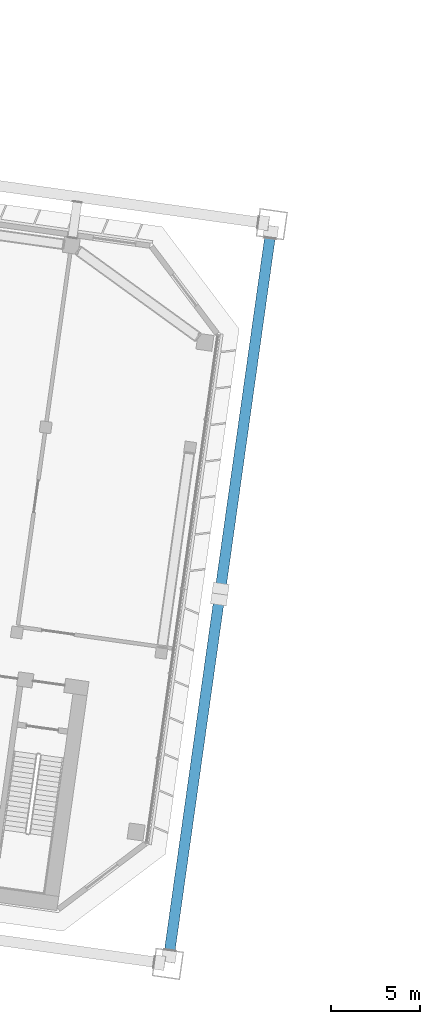
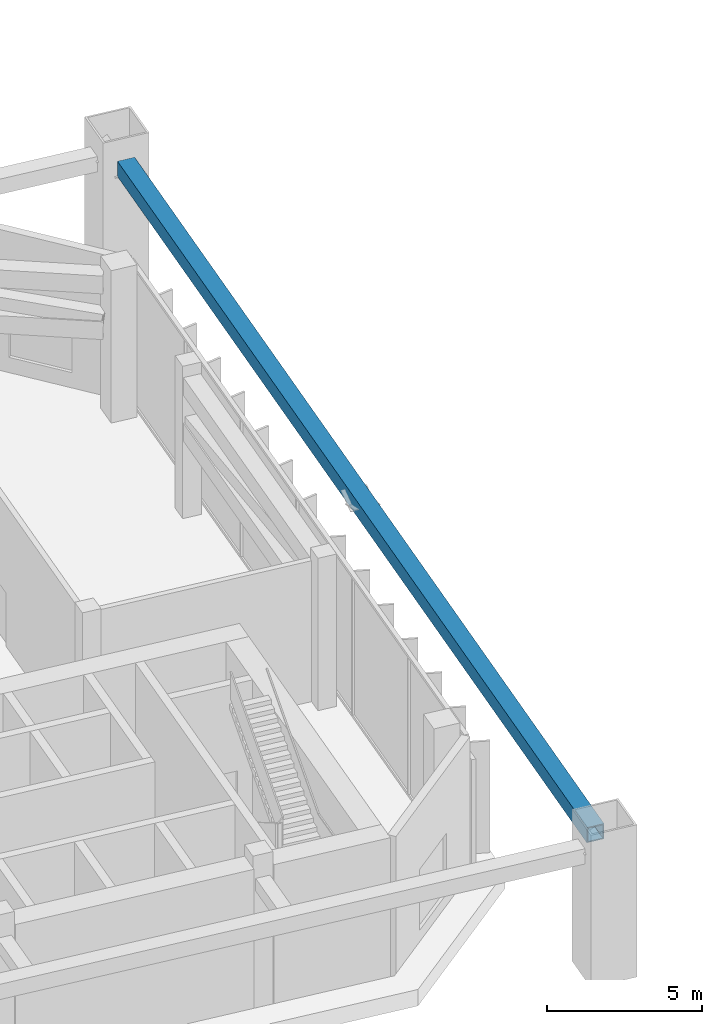
# One storey, part 8 of 41: 1 member.
"""IFC4 building model written with IfcOpenShell, lengths in metres."""

from ifc_helpers import new_model, si_unit, direction, frame, origin, origin_2d, place, context, subcontext, project, spatial, hollow_rectangle, extrude, material, material_profile, profile_set, type_object, element, save


model = new_model("IFC4")

# Units and contexts
model_context = context("Model", 3, precision=1e-05, world=origin(), true_north=direction((0.0, 1.0)))
body_context = subcontext(model_context, "Body", "Model", "MODEL_VIEW")
ifc_project = project(units=[si_unit("LENGTHUNIT", "METRE"), si_unit("AREAUNIT", "SQUARE_METRE"), si_unit("VOLUMEUNIT", "CUBIC_METRE"), si_unit("PLANEANGLEUNIT", "RADIAN"), si_unit("MASSUNIT", "GRAM", prefix="KILO")], contexts=[model_context])

# Site, building, storey
site_placement = place(None, origin())
site = spatial("IfcSite", under=ifc_project, at=site_placement, CompositionType="ELEMENT")
building_placement = place(site_placement, origin())
building = spatial("IfcBuilding", under=site, at=building_placement, Name="Mirante Cascada Hotel Towers", CompositionType="ELEMENT")
storey_placement = place(building_placement, frame((0.0, 0.0, 92.7)))
storey = spatial("IfcBuildingStorey", under=building, at=storey_placement, Name="L20", CompositionType="ELEMENT", Elevation=92.7)

# Member
ifc_material = material(Name="Steel ASTM A572 Gr 50", Category="steel")
ifc_material_profile = material_profile(ifc_material, hollow_rectangle(XDim=0.6, YDim=0.6, WallThickness=0.04, at=origin_2d()), Name="Box chord 600x600x40 ASTM A572 Gr 50")
ifc_profile_set = profile_set([ifc_material_profile], Name="Steel ASTM A572 Gr 50")
member_type = type_object("IfcMemberType", Name="Box chord 600x600x40 ASTM A572 Gr 50", PredefinedType="CHORD", material=ifc_profile_set)
member_placement = place(storey_placement, frame((-30.8335, -22.3016, 4.85), z_axis=(0.1391714, 0.9902683, 0.0), x_axis=(-0.9902683, 0.1391714, 0.0)))
element("IfcMember", 1, at=member_placement, inside=storey, type_object=member_type, Name="exochord T1 L20 3", PredefinedType="CHORD", context=body_context, shape_type="SweptSolid", body=[
    extrude(hollow_rectangle(XDim=0.6, YDim=0.6, WallThickness=0.04, at=origin_2d()), origin(), (0.0, 0.0, 1.0), 40.4401),
])

save(model, "model.ifc")
